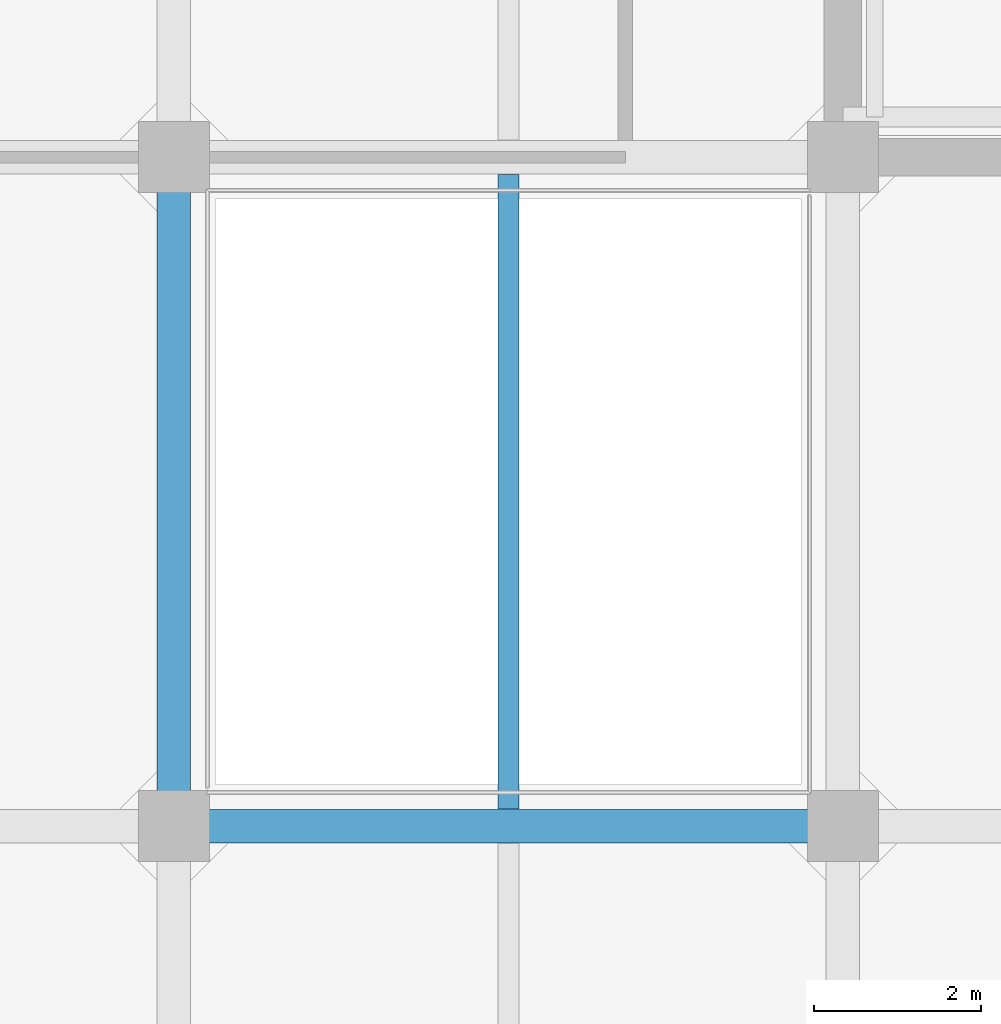
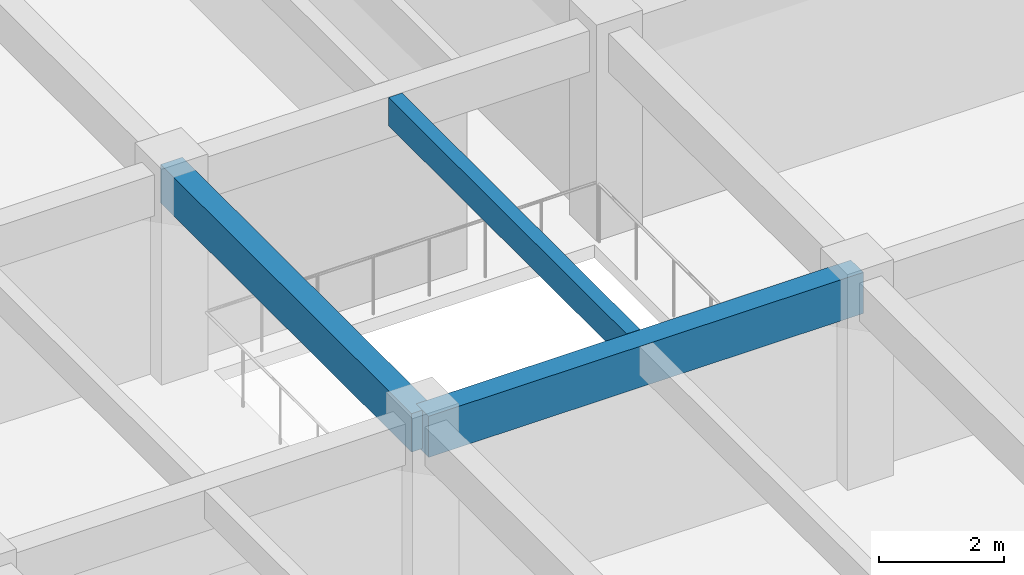
# One storey, part 5 of 30: 3 beams.
"""IFC4 building model written with IfcOpenShell, lengths in metres."""

from ifc_helpers import new_model, si_unit, direction, frame, origin, origin_2d, place, context, subcontext, project, spatial, rectangle, extrude, material, material_profile, profile_set, type_object, element, save


model = new_model("IFC4")

# Units and contexts
model_context = context("Model", 3, precision=1e-05, world=origin(), true_north=direction((0.0, 1.0)))
body_context = subcontext(model_context, "Body", "Model", "MODEL_VIEW")
ifc_project = project(units=[si_unit("LENGTHUNIT", "METRE"), si_unit("AREAUNIT", "SQUARE_METRE"), si_unit("VOLUMEUNIT", "CUBIC_METRE"), si_unit("PLANEANGLEUNIT", "RADIAN"), si_unit("MASSUNIT", "GRAM", prefix="KILO")], contexts=[model_context])

# Site, building, storey
site_placement = place(None, origin())
site = spatial("IfcSite", under=ifc_project, at=site_placement, CompositionType="ELEMENT")
building_placement = place(site_placement, origin())
building = spatial("IfcBuilding", under=site, at=building_placement, Name="Canggui Botanical Conservatory", CompositionType="ELEMENT")
storey_placement = place(building_placement, frame((0.0, 0.0, 19.199951171875)))
storey = spatial("IfcBuildingStorey", under=building, at=storey_placement, Name="L05", CompositionType="ELEMENT", Elevation=19.199951171875)

# Beams
ifc_material = material(Name="Concrete C35", Category="concrete")
ifc_material_profile_1 = material_profile(ifc_material, rectangle(XDim=0.25, YDim=0.550048828125, at=origin_2d()), Name="RB 250x550")
ifc_profile_set_1 = profile_set([ifc_material_profile_1], Name="Concrete C35")
beam_type_1 = type_object("IfcBeamType", Name="BM-JST03", PredefinedType="JOIST", material=ifc_profile_set_1)
beam_1_placement = place(storey_placement, frame((150.0, 34.205078125, 3.68505859375), z_axis=(0.0, 1.0, 0.0), x_axis=(-1.0, 0.0, 0.0)))
element("IfcBeam", 1, at=beam_1_placement, inside=storey, type_object=beam_type_1, Name="Secondary Floor Joist L05-2-2", PredefinedType="JOIST", context=body_context, shape_type="SweptSolid", body=[
    extrude(rectangle(XDim=0.25, YDim=0.550048828125, at=origin_2d()), origin(), (0.0, 0.0, 1.0), 7.58984375),
])
ifc_material_profile_2 = material_profile(ifc_material, rectangle(XDim=0.39990234375, YDim=0.800048828125, at=origin_2d()), Name="RB 400x800")
ifc_profile_set_2 = profile_set([ifc_material_profile_2], Name="Concrete C35")
beam_type_2 = type_object("IfcBeamType", Name="BM-KL09", PredefinedType="BEAM", material=ifc_profile_set_2)
beam_2_placement = place(storey_placement, frame((146.0, 34.0, 3.56005859375), z_axis=(1.0, 0.0, 0.0), x_axis=(0.0, 1.0, 0.0)))
element("IfcBeam", 2, at=beam_2_placement, inside=storey, type_object=beam_type_2, Name="Frame Girder L05 Y34-2", PredefinedType="BEAM", context=body_context, shape_type="SweptSolid", body=[
    extrude(rectangle(XDim=0.39990234375, YDim=0.800048828125, at=origin_2d()), origin(), (0.0, 0.0, 1.0), 8.0),
])
ifc_material_profile_3 = material_profile(ifc_material, rectangle(XDim=0.39990234375, YDim=0.75, at=origin_2d()), Name="RB 400x750")
ifc_profile_set_3 = profile_set([ifc_material_profile_3], Name="Concrete C35")
beam_type_3 = type_object("IfcBeamType", Name="BM-KL10", PredefinedType="BEAM", material=ifc_profile_set_3)
beam_3_placement = place(storey_placement, frame((146.0, 34.0, 3.5849609375), z_axis=(0.0, 1.0, 0.0), x_axis=(-1.0, 0.0, 0.0)))
element("IfcBeam", 3, at=beam_3_placement, inside=storey, type_object=beam_type_3, Name="Frame Girder L05 X146-2", PredefinedType="BEAM", context=body_context, shape_type="SweptSolid", body=[
    extrude(rectangle(XDim=0.39990234375, YDim=0.75, at=origin_2d()), origin(), (0.0, 0.0, 1.0), 8.0),
])

save(model, "model.ifc")
